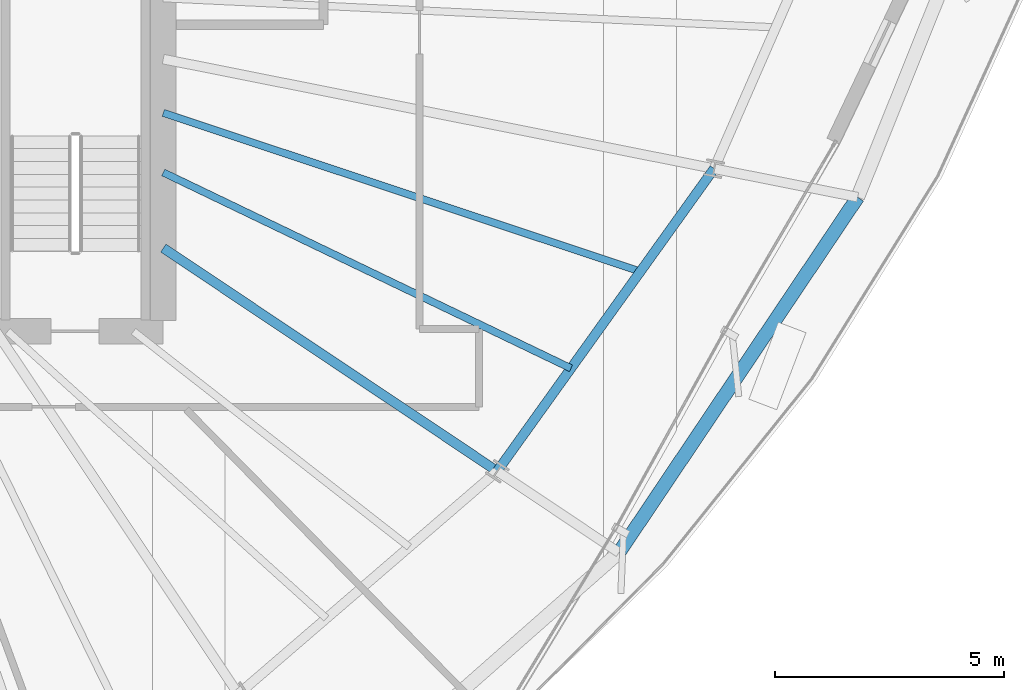
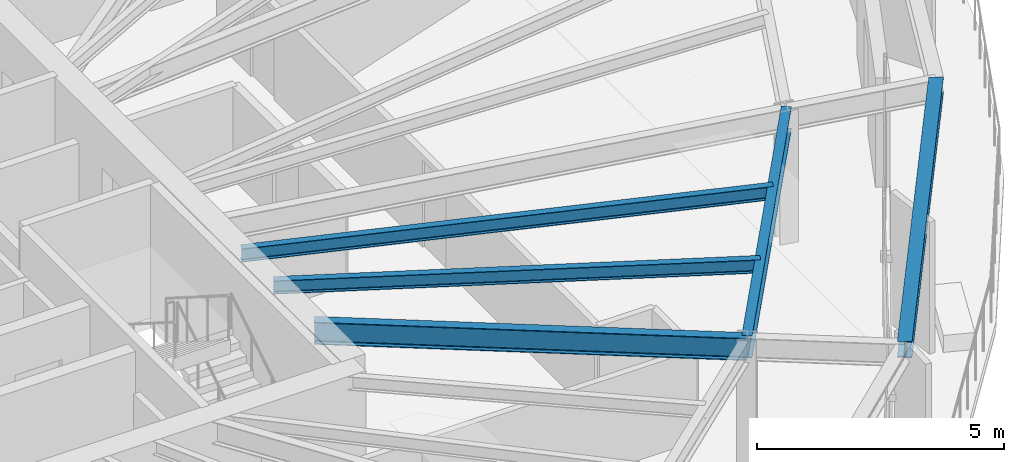
# One storey, part 16 of 36: 5 beams.
"""IFC4 building model written with IfcOpenShell, lengths in metres."""

from ifc_helpers import new_model, si_unit, direction, frame, origin, origin_2d, place, context, subcontext, project, spatial, i_section, extrude, source, transform, mapped, material, material_profile, profile_set, type_object, element, save


model = new_model("IFC4")

# Units and contexts
model_context = context("Model", 3, precision=1e-05, world=origin(), true_north=direction((0.0, 1.0)))
body_context = subcontext(model_context, "Body", "Model", "MODEL_VIEW")
ifc_project = project(units=[si_unit("LENGTHUNIT", "METRE"), si_unit("AREAUNIT", "SQUARE_METRE"), si_unit("VOLUMEUNIT", "CUBIC_METRE"), si_unit("PLANEANGLEUNIT", "RADIAN"), si_unit("MASSUNIT", "GRAM", prefix="KILO"), si_unit("THERMODYNAMICTEMPERATUREUNIT", "KELVIN")], contexts=[model_context])

# Site, building, storey
site_placement = place(None, origin())
site = spatial("IfcSite", under=ifc_project, at=site_placement, CompositionType="ELEMENT")
building_placement = place(site_placement, origin())
building = spatial("IfcBuilding", under=site, at=building_placement, Name="Kethvar Cultural Tower", CompositionType="ELEMENT")
storey_placement = place(building_placement, frame((0.0, 0.0, 164.300048828125)))
storey = spatial("IfcBuildingStorey", under=building, at=storey_placement, Name="L42", CompositionType="ELEMENT", Elevation=164.300048828125)

# Beams
ifc_material = material(Name="Steel S355J2", Category="steel")
ifc_material_profile_1 = material_profile(ifc_material, i_section(OverallWidth=0.2099609375, OverallDepth=0.550048828125, WebThickness=0.010986328125, FlangeThickness=0.01708984375, FilletRadius=0.02392578125, at=origin_2d()), Name="Steel S355J2 — IPE550")
ifc_profile_set_1 = profile_set([ifc_material_profile_1], Name="Steel S355J2 — IPE550")
beam_type_1 = type_object("IfcBeamType", Name="BM-IPE550", PredefinedType="BEAM", material=ifc_profile_set_1)
shared_shape_1 = source(origin(), body_context, "Body", "SweptSolid", [
    extrude(i_section(OverallWidth=0.2099609375, OverallDepth=0.550048828125, WebThickness=0.010986328125, FlangeThickness=0.01708984375, FilletRadius=0.02392578125, at=origin_2d()), origin(), (0.0, 0.0, 1.0), 8.77783203125),
])
beam_1_placement = place(storey_placement, frame((55.60009765625, 21.919921875, 3.02294921875), z_axis=(0.831472186778, -0.555566380026, 0.0), x_axis=(0.555566380026, 0.831472186778, 0.0)))
element("IfcBeam", 1, at=beam_1_placement, inside=storey, type_object=beam_type_1, Name="L42 Primary Radial Beam RB-15", PredefinedType="BEAM", context=body_context, shape_type="MappedRepresentation", body=[
    mapped(shared_shape_1, transform((0.0, 0.0, 0.0), scale=1.0)),
])
shared_shape_2 = source(origin(), body_context, "Body", "SweptSolid", [
    extrude(i_section(OverallWidth=0.2099609375, OverallDepth=0.550048828125, WebThickness=0.010986328125, FlangeThickness=0.01708984375, FilletRadius=0.02392578125, at=origin_2d()), origin(), (0.0, 0.0, 1.0), 8.13525390625),
])
beam_2_placement = place(storey_placement, frame((62.898681640625, 17.043212890625, 3.02294921875), z_axis=(0.582656731995, 0.812718359988, 0.0), x_axis=(-0.812718359988, 0.582656731995, 0.0)))
element("IfcBeam", 2, at=beam_2_placement, inside=storey, type_object=beam_type_1, Name="L42 Column Ring Tie Beam CR-15", PredefinedType="BEAM", context=body_context, shape_type="MappedRepresentation", body=[
    mapped(shared_shape_2, transform((0.0, 0.0, 0.0), scale=1.0)),
])
ifc_material_profile_2 = material_profile(ifc_material, i_section(OverallWidth=0.300048828125, OverallDepth=0.39990234375, WebThickness=0.013427734375, FlangeThickness=0.02392578125, FilletRadius=0.027099609375, at=origin_2d()), Name="Steel S355J2 — HEB400")
ifc_profile_set_2 = profile_set([ifc_material_profile_2], Name="Steel S355J2 — HEB400")
beam_type_2 = type_object("IfcBeamType", Name="BM-SP400", PredefinedType="SPANDREL", material=ifc_profile_set_2)
shared_shape_3 = source(origin(), body_context, "Body", "SweptSolid", [
    extrude(i_section(OverallWidth=0.300048828125, OverallDepth=0.39990234375, WebThickness=0.013427734375, FlangeThickness=0.02392578125, FilletRadius=0.027099609375, at=origin_2d()), origin(), (0.0, 0.0, 1.0), 9.355224609375),
])
beam_3_placement = place(storey_placement, frame((65.559326171875, 15.265380859375, 3.097900390625), z_axis=(0.557731714622, 0.830021285573, 0.0), x_axis=(-0.830021285573, 0.557731714622, 0.0)))
element("IfcBeam", 3, at=beam_3_placement, inside=storey, type_object=beam_type_2, Name="L42 Perimeter Spandrel Beam SP-15", PredefinedType="SPANDREL", context=body_context, shape_type="MappedRepresentation", body=[
    mapped(shared_shape_3, transform((0.0, 0.0, 0.0), scale=1.0)),
])
ifc_material_profile_3 = material_profile(ifc_material, i_section(OverallWidth=0.159912109375, OverallDepth=0.330078125, WebThickness=0.007568359375, FlangeThickness=0.011474609375, FilletRadius=0.01806640625, at=origin_2d()), Name="Steel S355J2 — IPE330")
ifc_profile_set_3 = profile_set([ifc_material_profile_3], Name="Steel S355J2 — IPE330")
beam_type_3 = type_object("IfcBeamType", Name="BM-J330", PredefinedType="JOIST", material=ifc_profile_set_3)
shared_shape_4 = source(origin(), body_context, "Body", "SweptSolid", [
    extrude(i_section(OverallWidth=0.159912109375, OverallDepth=0.330078125, WebThickness=0.007568359375, FlangeThickness=0.011474609375, FilletRadius=0.01806640625, at=origin_2d()), origin(), (0.0, 0.0, 1.0), 9.885009765625),
])
beam_4_placement = place(storey_placement, frame((55.60009765625, 23.572021484375, 3.133056640625), z_axis=(0.901369611334, -0.43305060185, 0.0), x_axis=(0.43305060185, 0.901369611334, 0.0)))
element("IfcBeam", 4, at=beam_4_placement, inside=storey, type_object=beam_type_3, Name="L42 Composite Floor Joist J-15A", PredefinedType="JOIST", context=body_context, shape_type="MappedRepresentation", body=[
    mapped(shared_shape_4, transform((0.0, 0.0, 0.0), scale=1.0)),
])
shared_shape_5 = source(origin(), body_context, "Body", "SweptSolid", [
    extrude(i_section(OverallWidth=0.159912109375, OverallDepth=0.330078125, WebThickness=0.007568359375, FlangeThickness=0.011474609375, FilletRadius=0.01806640625, at=origin_2d()), origin(), (0.0, 0.0, 1.0), 10.98828125),
])
beam_5_placement = place(storey_placement, frame((55.60009765625, 24.8740234375, 3.133056640625), z_axis=(0.948918548228, -0.315521138481, 0.0), x_axis=(0.315521138481, 0.948918548228, 0.0)))
element("IfcBeam", 5, at=beam_5_placement, inside=storey, type_object=beam_type_3, Name="L42 Composite Floor Joist J-15B", PredefinedType="JOIST", context=body_context, shape_type="MappedRepresentation", body=[
    mapped(shared_shape_5, transform((0.0, 0.0, 0.0), scale=1.0)),
])

save(model, "model.ifc")
